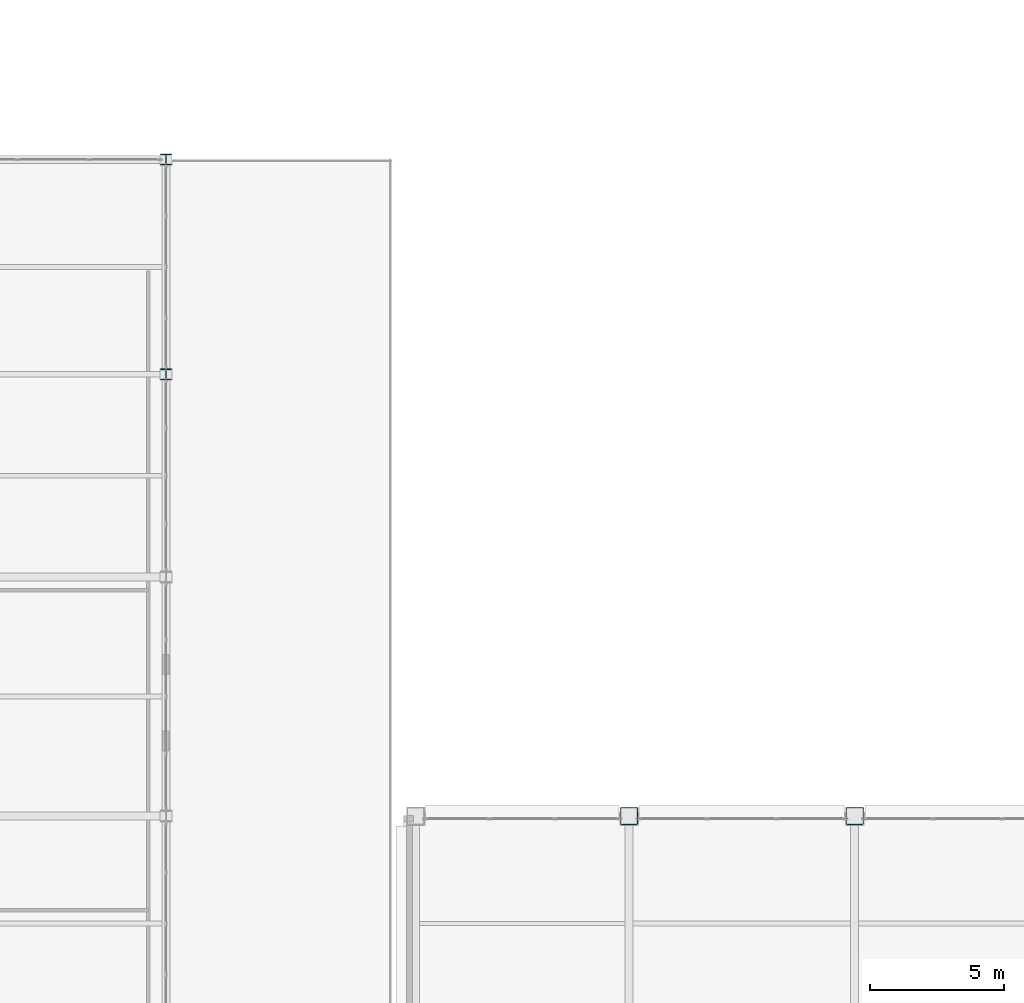
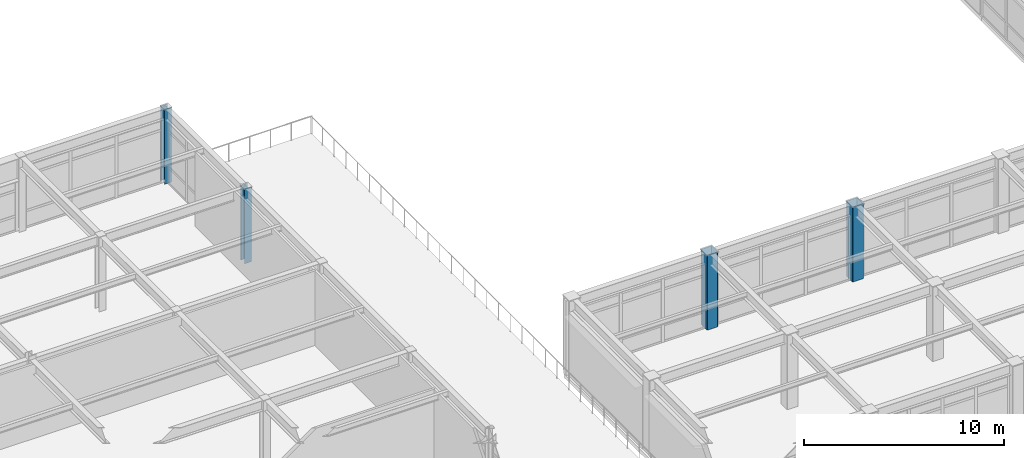
# One storey, part 7 of 93: 4 columns.
"""IFC4 building model written with IfcOpenShell, lengths in metres."""

from ifc_helpers import new_model, si_unit, direction, frame, origin, origin_2d, place, context, subcontext, project, spatial, hollow_rectangle, i_section, extrude, material, material_profile, profile_set, type_object, element, save


model = new_model("IFC4")

# Units and contexts
model_context = context("Model", 3, precision=1e-05, world=origin(), true_north=direction((0.0, 1.0)))
body_context = subcontext(model_context, "Body", "Model", "MODEL_VIEW")
ifc_project = project(units=[si_unit("LENGTHUNIT", "METRE"), si_unit("AREAUNIT", "SQUARE_METRE"), si_unit("VOLUMEUNIT", "CUBIC_METRE"), si_unit("PLANEANGLEUNIT", "RADIAN"), si_unit("MASSUNIT", "GRAM", prefix="KILO")], contexts=[model_context])

# Site, building, storey
site_placement = place(None, origin())
site = spatial("IfcSite", under=ifc_project, at=site_placement, CompositionType="ELEMENT")
building_placement = place(site_placement, origin())
building = spatial("IfcBuilding", under=site, at=building_placement, Name="Kazehara Bluff Congress Hotel", CompositionType="ELEMENT")
storey_placement = place(building_placement, frame((0.0, 0.0, 15.0)))
storey = spatial("IfcBuildingStorey", under=building, at=storey_placement, Name="L03", CompositionType="ELEMENT", Elevation=15.0)

# Columns
ifc_material_1 = material(Name="Steel BCR295", Category="steel")
ifc_material_profile_1 = material_profile(ifc_material_1, hollow_rectangle(XDim=0.64990234375, YDim=0.64990234375, WallThickness=0.02490234375, InnerFilletRadius=0.02490234375, OuterFilletRadius=0.050048828125, at=origin_2d()))
ifc_profile_set_1 = profile_set([ifc_material_profile_1], Name="Steel BCR295")
column_type_1 = type_object("IfcColumnType", Name="TP-C-04", PredefinedType="COLUMN", material=ifc_profile_set_1)
for number, where, z_axis, x_axis, name in (
    (1, (118.5, 32.0, 0.0), (0.0, 0.0, 1.0), (1.0, 0.0, 0.0), "L03 column C-04 (118.50,32.00)"),
    (2, (126.89990234375, 32.0, 0.0), (0.0, 0.0, 1.0), (1.0, 0.0, 0.0), "L03 column C-04 (126.90,32.00)"),
):
    element("IfcColumn", number, at=place(storey_placement, frame(where, z_axis=z_axis, x_axis=x_axis)), inside=storey, type_object=column_type_1, Name=name, PredefinedType="COLUMN", context=body_context, shape_type="SweptSolid", body=[
        extrude(hollow_rectangle(XDim=0.64990234375, YDim=0.64990234375, WallThickness=0.02490234375, InnerFilletRadius=0.02490234375, OuterFilletRadius=0.050048828125, at=origin_2d()), origin(), (0.0, 0.0, 1.0), 4.56005859375),
    ])
ifc_material_2 = material(Name="Steel SN490B", Category="steel")
ifc_material_profile_2 = material_profile(ifc_material_2, i_section(OverallWidth=0.39990234375, OverallDepth=0.39990234375, WebThickness=0.012939453125, FlangeThickness=0.02099609375, FilletRadius=0.02197265625, at=origin_2d()))
ifc_profile_set_2 = profile_set([ifc_material_profile_2], Name="Steel SN490B")
column_type_2 = type_object("IfcColumnType", Name="TP-C-09", PredefinedType="COLUMN", material=ifc_profile_set_2)
for number, where, z_axis, x_axis, name in (
    (3, (101.25, 48.449951171875, 0.0), (0.0, 0.0, 1.0), (1.0, 0.0, 0.0), "L03 column C-09 (101.25,48.45)"),
    (4, (101.25, 56.449951171875, 0.0), (0.0, 0.0, 1.0), (1.0, 0.0, 0.0), "L03 column C-09 (101.25,56.45)"),
):
    element("IfcColumn", number, at=place(storey_placement, frame(where, z_axis=z_axis, x_axis=x_axis)), inside=storey, type_object=column_type_2, Name=name, PredefinedType="COLUMN", context=body_context, shape_type="SweptSolid", body=[
        extrude(i_section(OverallWidth=0.39990234375, OverallDepth=0.39990234375, WebThickness=0.012939453125, FlangeThickness=0.02099609375, FilletRadius=0.02197265625, at=origin_2d()), origin(), (0.0, 0.0, 1.0), 4.56005859375),
    ])

save(model, "model.ifc")
